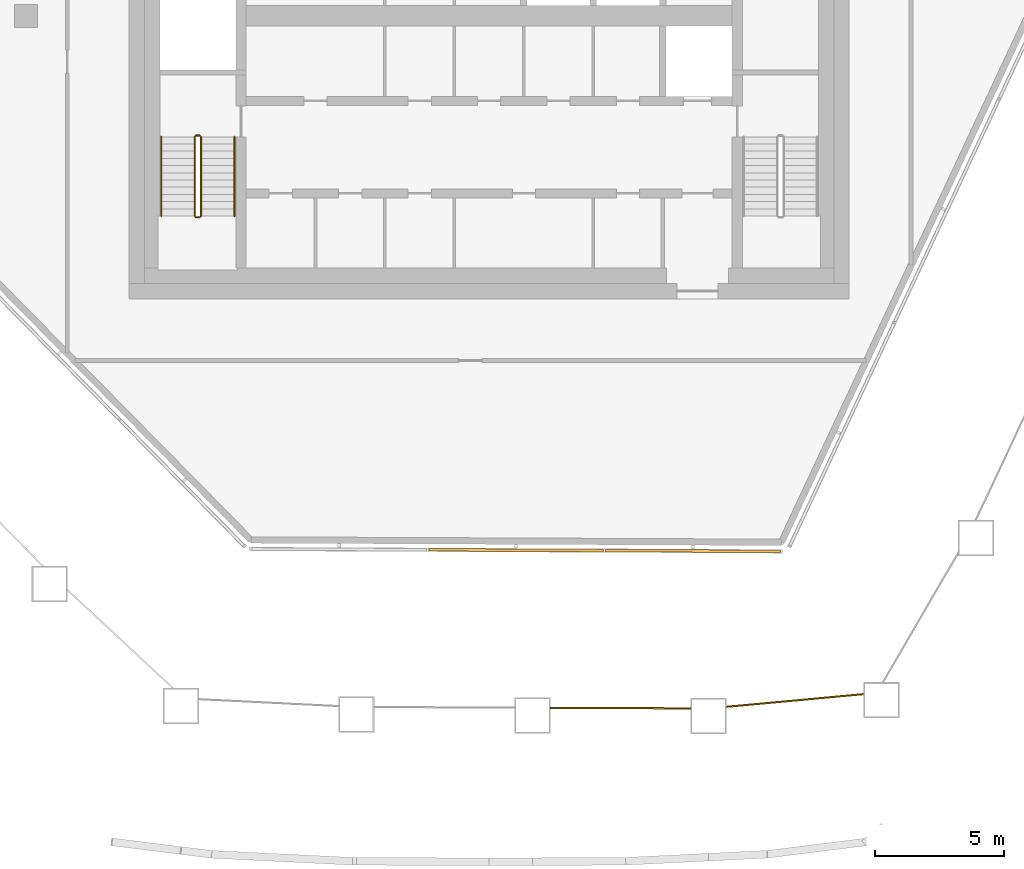
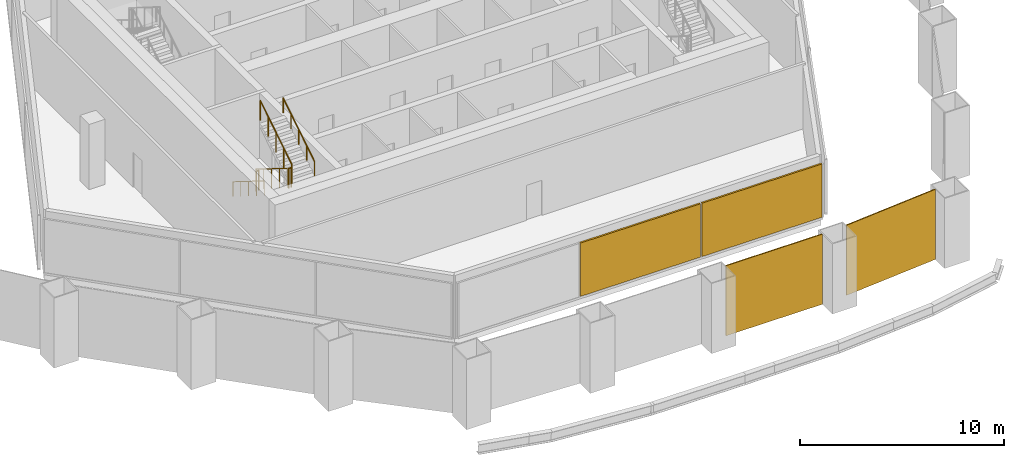
# One storey, part 14 of 18: 6 railings, 4 coverings, 1 element without a shape of its own.
"""IFC4 building model written with IfcOpenShell, lengths in metres."""

from ifc_helpers import new_model, si_unit, direction, frame, origin, origin_2d, place, context, subcontext, project, spatial, polyline, rectangle, circle, outline, extrude, material, layer, layer_set, type_object, element, aggregate, save


model = new_model("IFC4")

# Units and contexts
model_context = context("Model", 3, precision=1e-05, world=origin(), true_north=direction((0.0, 1.0)))
body_context = subcontext(model_context, "Body", "Model", "MODEL_VIEW")
ifc_project = project(units=[si_unit("LENGTHUNIT", "METRE"), si_unit("AREAUNIT", "SQUARE_METRE"), si_unit("VOLUMEUNIT", "CUBIC_METRE"), si_unit("PLANEANGLEUNIT", "RADIAN"), si_unit("MASSUNIT", "GRAM", prefix="KILO")], contexts=[model_context])

# Site, building, storey
site_placement = place(None, origin())
site = spatial("IfcSite", under=ifc_project, at=site_placement, CompositionType="ELEMENT")
building_placement = place(site_placement, origin())
building = spatial("IfcBuilding", under=site, at=building_placement, Name="Dongbaek Canopy Tower", CompositionType="ELEMENT")
storey_placement = place(building_placement, frame((0.0, 0.0, 371.60009765625)))
storey = spatial("IfcBuildingStorey", under=building, at=storey_placement, Name="L80", CompositionType="ELEMENT", Elevation=371.60009765625)

# Coverings
ifc_material_1 = material(Name="Perforated pale metal")
ifc_layer_1 = layer(ifc_material_1, 0.06005859375)
ifc_layer_set_1 = layer_set([ifc_layer_1], Name="Crown plant screen")
covering_type_1 = type_object("IfcCoveringType", Name="Crown plant screen", PredefinedType="CLADDING", material=ifc_layer_set_1)
covering_1_placement = place(storey_placement, origin())
element("IfcCovering", 1, at=covering_1_placement, inside=storey, type_object=covering_type_1, Name="Crown plant screen 7 L80", PredefinedType="CLADDING", context=body_context, shape_type="SweptSolid", body=[
    extrude(outline(polyline([(2.383056640625, -26.93017578125), (2.383056640625, -26.8701171875), (7.833984375, -26.893798828125), (7.833984375, -26.953857421875), (2.383056640625, -26.93017578125)])), origin(), (0.0, 0.0, 1.0), 4.199951171875),
])
covering_2_placement = place(storey_placement, origin())
element("IfcCovering", 2, at=covering_2_placement, inside=storey, type_object=covering_type_1, Name="Crown plant screen 8 L80", PredefinedType="CLADDING", context=body_context, shape_type="SweptSolid", body=[
    extrude(outline(polyline([(9.23388671875, -26.891357421875), (9.23388671875, -26.8310546875), (14.552001953125, -26.340087890625), (14.552001953125, -26.400390625), (9.23388671875, -26.891357421875)])), origin(), (0.0, 0.0, 1.0), 4.199951171875),
])

# Curtain wall, coverings
ifc_material_2 = material(Name="Aluminium 6063-T6 pale anodised", Category="aluminium")
ifc_layer_2 = layer(ifc_material_2, 0.14990234375)
ifc_layer_set_2 = layer_set([ifc_layer_2], Name="CW-7 louvre curtain wall")
curtain_wall_type = type_object("IfcCurtainWallType", Name="CW-7 louvre curtain wall", PredefinedType="NOTDEFINED", material=ifc_layer_set_2)
curtain_wall_placement = place(storey_placement, origin())
curtain_wall = element("IfcCurtainWall", 3, at=curtain_wall_placement, inside=storey, type_object=curtain_wall_type, Name="CW-7 louvre wall L80 F0", PredefinedType="NOTDEFINED")
ifc_material_3 = material(Name="Aluminium 6063-T6 pale metal louvre blades", Category="aluminium")
ifc_layer_3 = layer(ifc_material_3, 0.10009765625)
ifc_layer_set_3 = layer_set([ifc_layer_3], Name="Louvre LV bank 100 x 3200")
covering_type_2 = type_object("IfcCoveringType", Name="Louvre LV bank 100 x 3200", PredefinedType="CLADDING", material=ifc_layer_set_3)
covering_3_placement = place(storey_placement, frame((1.04931640625, -20.772705078125, 0.2998046875), z_axis=(0.0, 0.0, 1.0), x_axis=(0.999990026762, -0.004466136555, 0.0)))
covering_3 = element("IfcCovering", 4, at=covering_3_placement, type_object=covering_type_2, Name="Louvre L80 F0.1.2", PredefinedType="CLADDING", context=body_context, shape_type="SweptSolid", body=[
    extrude(rectangle(XDim=6.787841796875, YDim=0.10009765625, at=origin_2d()), origin(), (0.0, 0.0, 1.0), 3.199951171875),
])
covering_4_placement = place(storey_placement, frame((7.927001953125, -20.803466796875, 0.2998046875), z_axis=(0.0, 0.0, 1.0), x_axis=(0.999990026762, -0.004466136555, 0.0)))
covering_4 = element("IfcCovering", 5, at=covering_4_placement, type_object=covering_type_2, Name="Louvre L80 F0.1.3", PredefinedType="CLADDING", context=body_context, shape_type="SweptSolid", body=[
    extrude(rectangle(XDim=6.787841796875, YDim=0.10009765625, at=origin_2d()), origin(), (0.0, 0.0, 1.0), 3.199951171875),
])
aggregate(curtain_wall, [covering_3, covering_4])

# Railings
ifc_material_4 = material(Name="Stainless steel tube and balusters", Category="steel")
railing_type_1 = type_object("IfcRailingType", Name="Stair guard 1200", PredefinedType="GUARDRAIL", material=ifc_material_4)
railing_1_placement = place(storey_placement, frame((-11.449951171875, -4.699951171875, 0.1748046875)))
element("IfcRailing", 6, at=railing_1_placement, inside=storey, type_object=railing_type_1, Name="L80 ST-D stair guard 1", PredefinedType="GUARDRAIL", context=body_context, shape_type="SweptSolid", body=[
    extrude(circle(Radius=0.02392578125, at=origin_2d()), frame((0.0, 0.0, 1.17578125), z_axis=(0.0, -0.847998304005, 0.529998940003), x_axis=(1.0, 0.0, 0.0)), (0.0, 0.0, 1.0), 3.632080078125),
    extrude(circle(Radius=0.02099609375, at=origin_2d()), origin(), (0.0, 0.0, 1.0), 1.15185546875),
    extrude(circle(Radius=0.02099609375, at=origin_2d()), frame((0.0, -0.77001953125, 0.481201171875)), (0.0, 0.0, 1.0), 1.15185546875),
    extrude(circle(Radius=0.02099609375, at=origin_2d()), frame((0.0, -1.5400390625, 0.96240234375)), (0.0, 0.0, 1.0), 1.15185546875),
    extrude(circle(Radius=0.02099609375, at=origin_2d()), frame((0.0, -2.31005859375, 1.44384765625)), (0.0, 0.0, 1.0), 1.15185546875),
    extrude(circle(Radius=0.02099609375, at=origin_2d()), frame((0.0, -3.080078125, 1.925048828125)), (0.0, 0.0, 1.0), 1.15185546875),
])
railing_2_placement = place(storey_placement, frame((-11.39990234375, -7.830078125, 2.099853515625)))
element("IfcRailing", 7, at=railing_2_placement, inside=storey, type_object=railing_type_1, Name="L80 ST-D stair guard 2", PredefinedType="GUARDRAIL", context=body_context, shape_type="SweptSolid", body=[
    extrude(circle(Radius=0.02392578125, at=origin_2d()), frame((0.0, 0.0, 1.17578125), z_axis=(1.0, 0.0, 0.0), x_axis=(0.0, 1.0, 0.0)), (0.0, 0.0, 1.0), 0.14990234375),
    extrude(circle(Radius=0.02099609375, at=origin_2d()), origin(), (0.0, 0.0, 1.0), 1.15185546875),
    extrude(circle(Radius=0.02099609375, at=origin_2d()), frame((0.14990234375, 0.0, 0.0)), (0.0, 0.0, 1.0), 1.15185546875),
])
railing_3_placement = place(storey_placement, frame((-11.199951171875, -7.780029296875, 2.27490234375)))
element("IfcRailing", 8, at=railing_3_placement, inside=storey, type_object=railing_type_1, Name="L80 ST-D stair guard 3", PredefinedType="GUARDRAIL", context=body_context, shape_type="SweptSolid", body=[
    extrude(circle(Radius=0.02392578125, at=origin_2d()), frame((0.0, 0.0, 1.17578125), z_axis=(0.0, 0.847998304005, 0.529998940003), x_axis=(-1.0, 0.0, 0.0)), (0.0, 0.0, 1.0), 3.632080078125),
    extrude(circle(Radius=0.02099609375, at=origin_2d()), origin(), (0.0, 0.0, 1.0), 1.15185546875),
    extrude(circle(Radius=0.02099609375, at=origin_2d()), frame((0.0, 0.77001953125, 0.481201171875)), (0.0, 0.0, 1.0), 1.15185546875),
    extrude(circle(Radius=0.02099609375, at=origin_2d()), frame((0.0, 1.5400390625, 0.96240234375)), (0.0, 0.0, 1.0), 1.15185546875),
    extrude(circle(Radius=0.02099609375, at=origin_2d()), frame((0.0, 2.31005859375, 1.44384765625)), (0.0, 0.0, 1.0), 1.15185546875),
    extrude(circle(Radius=0.02099609375, at=origin_2d()), frame((0.0, 3.080078125, 1.925048828125)), (0.0, 0.0, 1.0), 1.15185546875),
])
railing_4_placement = place(storey_placement, frame((-11.39990234375, -4.64990234375, 0.0)))
element("IfcRailing", 9, at=railing_4_placement, inside=storey, type_object=railing_type_1, Name="L80 ST-D stair guard 4", PredefinedType="GUARDRAIL", context=body_context, shape_type="SweptSolid", body=[
    extrude(circle(Radius=0.02392578125, at=origin_2d()), frame((0.0, 0.0, 1.17578125), z_axis=(1.0, 0.0, 0.0), x_axis=(0.0, 1.0, 0.0)), (0.0, 0.0, 1.0), 0.14990234375),
    extrude(circle(Radius=0.02099609375, at=origin_2d()), origin(), (0.0, 0.0, 1.0), 1.15185546875),
    extrude(circle(Radius=0.02099609375, at=origin_2d()), frame((0.14990234375, 0.0, 0.0)), (0.0, 0.0, 1.0), 1.15185546875),
])
ifc_material_5 = material(Name="Stainless steel tube", Category="steel")
railing_type_2 = type_object("IfcRailingType", Name="Stair handrail 900", PredefinedType="HANDRAIL", material=ifc_material_5)
railing_5_placement = place(storey_placement, frame((-12.75, -4.699951171875, 0.1748046875)))
element("IfcRailing", 10, at=railing_5_placement, inside=storey, type_object=railing_type_2, Name="L80 ST-D stair handrail 1", PredefinedType="HANDRAIL", context=body_context, shape_type="SweptSolid", body=[
    extrude(circle(Radius=0.02392578125, at=origin_2d()), frame((0.0, 0.0, 0.8759765625), z_axis=(0.0, -0.847998304005, 0.529998940003), x_axis=(1.0, 0.0, 0.0)), (0.0, 0.0, 1.0), 3.632080078125),
    extrude(circle(Radius=0.02099609375, at=origin_2d()), origin(), (0.0, 0.0, 1.0), 0.851806640625),
    extrude(circle(Radius=0.02099609375, at=origin_2d()), frame((0.0, -0.77001953125, 0.481201171875)), (0.0, 0.0, 1.0), 0.851806640625),
    extrude(circle(Radius=0.02099609375, at=origin_2d()), frame((0.0, -1.5400390625, 0.96240234375)), (0.0, 0.0, 1.0), 0.851806640625),
    extrude(circle(Radius=0.02099609375, at=origin_2d()), frame((0.0, -2.31005859375, 1.44384765625)), (0.0, 0.0, 1.0), 0.851806640625),
    extrude(circle(Radius=0.02099609375, at=origin_2d()), frame((0.0, -3.080078125, 1.925048828125)), (0.0, 0.0, 1.0), 0.851806640625),
])
railing_6_placement = place(storey_placement, frame((-9.89990234375, -7.780029296875, 2.27490234375)))
element("IfcRailing", 11, at=railing_6_placement, inside=storey, type_object=railing_type_2, Name="L80 ST-D stair handrail 2", PredefinedType="HANDRAIL", context=body_context, shape_type="SweptSolid", body=[
    extrude(circle(Radius=0.02392578125, at=origin_2d()), frame((0.0, 0.0, 0.8759765625), z_axis=(0.0, 0.847998304005, 0.529998940003), x_axis=(-1.0, 0.0, 0.0)), (0.0, 0.0, 1.0), 3.632080078125),
    extrude(circle(Radius=0.02099609375, at=origin_2d()), origin(), (0.0, 0.0, 1.0), 0.851806640625),
    extrude(circle(Radius=0.02099609375, at=origin_2d()), frame((0.0, 0.77001953125, 0.481201171875)), (0.0, 0.0, 1.0), 0.851806640625),
    extrude(circle(Radius=0.02099609375, at=origin_2d()), frame((0.0, 1.5400390625, 0.96240234375)), (0.0, 0.0, 1.0), 0.851806640625),
    extrude(circle(Radius=0.02099609375, at=origin_2d()), frame((0.0, 2.31005859375, 1.44384765625)), (0.0, 0.0, 1.0), 0.851806640625),
    extrude(circle(Radius=0.02099609375, at=origin_2d()), frame((0.0, 3.080078125, 1.925048828125)), (0.0, 0.0, 1.0), 0.851806640625),
])

save(model, "model.ifc")
